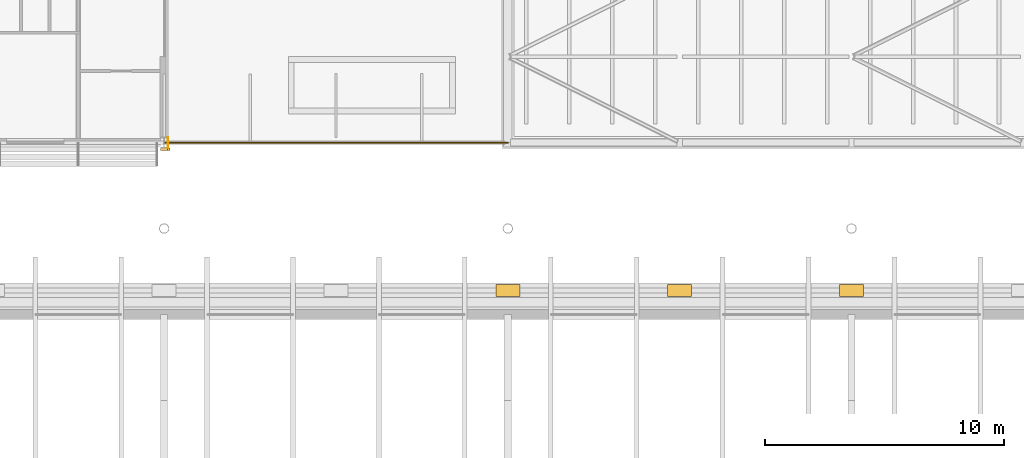
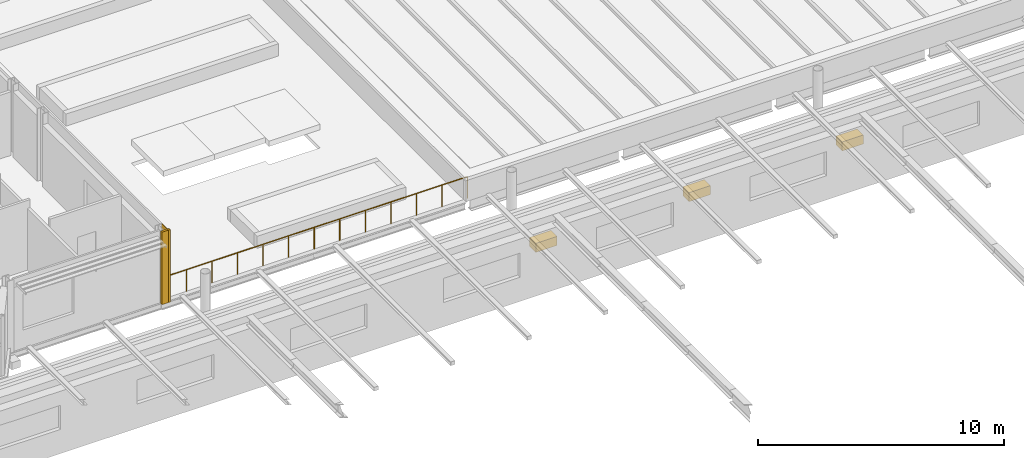
# One storey, part 105 of 110: 6 coverings, 1 railing.
"""IFC4 building model written with IfcOpenShell, lengths in metres."""

from ifc_helpers import new_model, si_unit, direction, frame, origin, origin_2d, place, context, subcontext, project, spatial, rectangle, circle, extrude, material, layer, layer_set, type_object, element, save


model = new_model("IFC4")

# Units and contexts
model_context = context("Model", 3, precision=1e-05, world=origin(), true_north=direction((0.0, 1.0)))
body_context = subcontext(model_context, "Body", "Model", "MODEL_VIEW")
ifc_project = project(units=[si_unit("LENGTHUNIT", "METRE"), si_unit("AREAUNIT", "SQUARE_METRE"), si_unit("VOLUMEUNIT", "CUBIC_METRE"), si_unit("PLANEANGLEUNIT", "RADIAN"), si_unit("MASSUNIT", "GRAM", prefix="KILO")], contexts=[model_context])

# Site, building, storey
site_placement = place(None, origin())
site = spatial("IfcSite", under=ifc_project, at=site_placement, CompositionType="ELEMENT")
building_placement = place(site_placement, origin())
building = spatial("IfcBuilding", under=site, at=building_placement, Name="Kupolbacken Congress Centre", CompositionType="ELEMENT")
storey_placement = place(building_placement, frame((0.0, 0.0, 18.0)))
storey = spatial("IfcBuildingStorey", under=building, at=storey_placement, Name="L05", CompositionType="ELEMENT", Elevation=18.0)

# Coverings
ifc_material_1 = material(Name="Brick cladding", Category="masonry")
ifc_layer_1 = layer(ifc_material_1, 0.10791015625)
ifc_layer_set_1 = layer_set([ifc_layer_1], Name="Brick cladding")
covering_type_1 = type_object("IfcCoveringType", Name="CV2 brick cladding band 108", PredefinedType="CLADDING", material=ifc_layer_set_1)
covering_1_placement = place(storey_placement, frame((137.0, 122.125, 0.0), z_axis=(0.0, 0.0, 1.0), x_axis=(1.0, 0.0, 0.0)))
element("IfcCovering", 1, at=covering_1_placement, inside=storey, type_object=covering_type_1, Name="E/T/pilaster/L05/C-T-20T/corner", PredefinedType="CLADDING", context=body_context, shape_type="SweptSolid", body=[
    extrude(rectangle(XDim=0.10009765625, YDim=0.10009765625, at=origin_2d()), origin(), (0.0, 0.0, 1.0), 3.60009765625),
])
covering_2_placement = place(storey_placement, frame((136.9599609375, 122.39990234375, 0.0), z_axis=(0.0, 0.0, 1.0), x_axis=(1.0, 0.0, 0.0)))
element("IfcCovering", 2, at=covering_2_placement, inside=storey, type_object=covering_type_1, Name="E/T/pilaster/L05/C-T-20T/E", PredefinedType="CLADDING", context=body_context, shape_type="SweptSolid", body=[
    extrude(rectangle(XDim=0.02001953125, YDim=0.449951171875, at=origin_2d()), origin(), (0.0, 0.0, 1.0), 3.60009765625),
])
covering_3_placement = place(storey_placement, frame((136.800048828125, 122.125, 0.0), z_axis=(0.0, 0.0, 1.0), x_axis=(1.0, 0.0, 0.0)))
element("IfcCovering", 3, at=covering_3_placement, inside=storey, type_object=covering_type_1, Name="E/T/pilaster/L05/C-T-20T/S", PredefinedType="CLADDING", context=body_context, shape_type="SweptSolid", body=[
    extrude(rectangle(XDim=0.300048828125, YDim=0.10009765625, at=origin_2d()), origin(), (0.0, 0.0, 1.0), 3.60009765625),
])
ifc_material_2 = material(Name="Limestone cladding", Category="masonry")
ifc_layer_2 = layer(ifc_material_2, 0.5)
ifc_layer_set_2 = layer_set([ifc_layer_2], Name="Limestone cladding")
covering_type_2 = type_object("IfcCoveringType", Name="CV8 limestone drum pier 500", PredefinedType="CLADDING", material=ifc_layer_set_2)
for number, where, z_axis, x_axis, name in (
    (4, (151.199951171875, 116.2099609375, 1.38525390625), (0.0, 0.0, 1.0), (1.0, 0.0, 0.0), "F/HR/H/N/cap/09-0/0"),
    (5, (158.39990234375, 116.2099609375, 1.38525390625), (0.0, 0.0, 1.0), (1.0, 0.0, 0.0), "F/HR/H/N/cap/10-0/0"),
    (6, (165.60009765625, 116.2099609375, 1.38525390625), (0.0, 0.0, 1.0), (1.0, 0.0, 0.0), "F/HR/H/N/cap/11-0/0"),
):
    element("IfcCovering", number, at=place(storey_placement, frame(where, z_axis=z_axis, x_axis=x_axis)), inside=storey, type_object=covering_type_2, Name=name, PredefinedType="CLADDING", context=body_context, shape_type="SweptSolid", body=[
        extrude(rectangle(XDim=1.0, YDim=0.5, at=origin_2d()), origin(), (0.0, 0.0, 1.0), 0.449951171875),
    ])

# Railing
ifc_material_3 = material(Name="Steel S235", Category="steel")
railing_type = type_object("IfcRailingType", Name="RL1 guard 1100 steel balustrade", PredefinedType="GUARDRAIL", material=ifc_material_3)
railing_placement = place(storey_placement, frame((136.800048828125, 122.39990234375, 0.0)))
element("IfcRailing", 7, at=railing_placement, inside=storey, type_object=railing_type, Name="E/guard/foyer-roof-south", PredefinedType="GUARDRAIL", context=body_context, shape_type="SweptSolid", body=[
    extrude(circle(Radius=0.02392578125, at=origin_2d()), frame((0.0, 0.0, 1.076171875), z_axis=(1.0, 0.0, 0.0), x_axis=(0.0, 1.0, 0.0)), (0.0, 0.0, 1.0), 14.39990234375),
    extrude(circle(Radius=0.02099609375, at=origin_2d()), origin(), (0.0, 0.0, 1.0), 1.052001953125),
    extrude(circle(Radius=0.02099609375, at=origin_2d()), frame((1.199951171875, 0.0, 0.0)), (0.0, 0.0, 1.0), 1.052001953125),
    extrude(circle(Radius=0.02099609375, at=origin_2d()), frame((2.39990234375, 0.0, 0.0)), (0.0, 0.0, 1.0), 1.052001953125),
    extrude(circle(Radius=0.02099609375, at=origin_2d()), frame((3.60009765625, 0.0, 0.0)), (0.0, 0.0, 1.0), 1.052001953125),
    extrude(circle(Radius=0.02099609375, at=origin_2d()), frame((4.800048828125, 0.0, 0.0)), (0.0, 0.0, 1.0), 1.052001953125),
    extrude(circle(Radius=0.02099609375, at=origin_2d()), frame((6.0, 0.0, 0.0)), (0.0, 0.0, 1.0), 1.052001953125),
    extrude(circle(Radius=0.02099609375, at=origin_2d()), frame((7.199951171875, 0.0, 0.0)), (0.0, 0.0, 1.0), 1.052001953125),
    extrude(circle(Radius=0.02099609375, at=origin_2d()), frame((8.39990234375, 0.0, 0.0)), (0.0, 0.0, 1.0), 1.052001953125),
    extrude(circle(Radius=0.02099609375, at=origin_2d()), frame((9.599853515625, 0.0, 0.0)), (0.0, 0.0, 1.0), 1.052001953125),
    extrude(circle(Radius=0.02099609375, at=origin_2d()), frame((10.7998046875, 0.0, 0.0)), (0.0, 0.0, 1.0), 1.052001953125),
    extrude(circle(Radius=0.02099609375, at=origin_2d()), frame((12.0, 0.0, 0.0)), (0.0, 0.0, 1.0), 1.052001953125),
    extrude(circle(Radius=0.02099609375, at=origin_2d()), frame((13.199951171875, 0.0, 0.0)), (0.0, 0.0, 1.0), 1.052001953125),
    extrude(circle(Radius=0.02099609375, at=origin_2d()), frame((14.39990234375, 0.0, 0.0)), (0.0, 0.0, 1.0), 1.052001953125),
])

save(model, "model.ifc")
